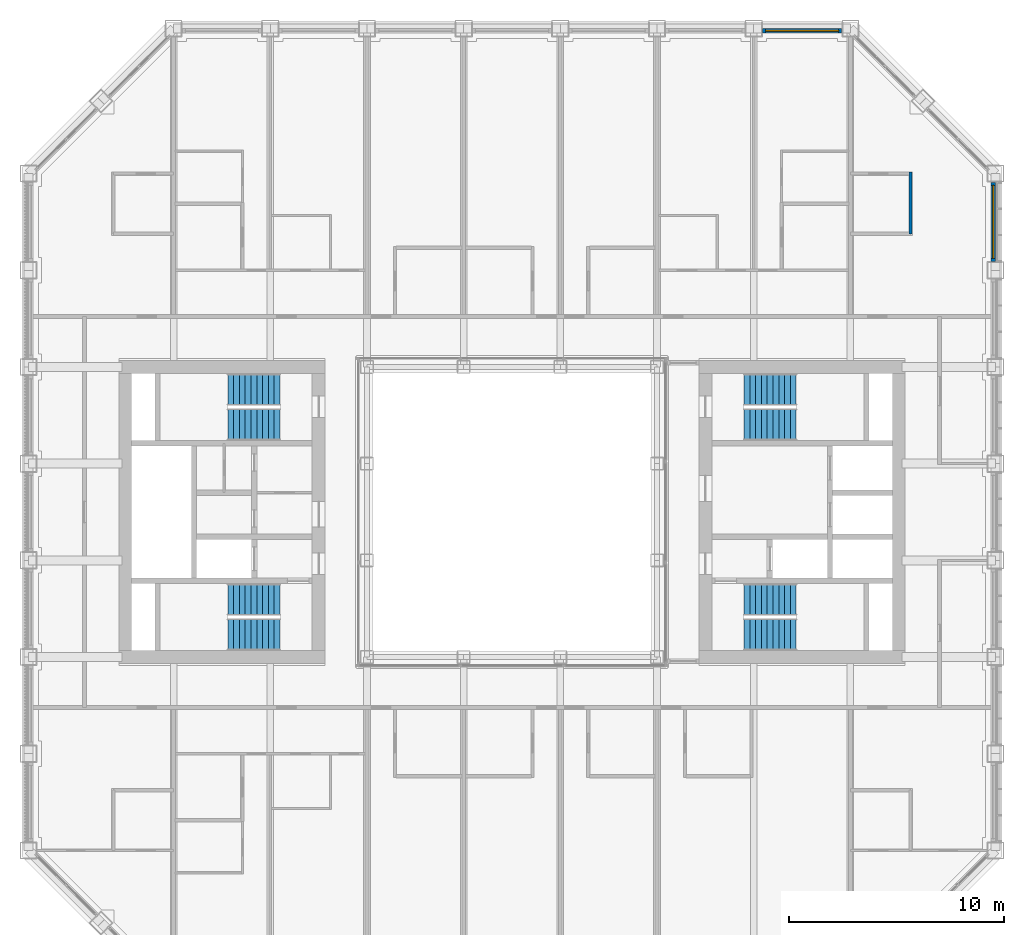
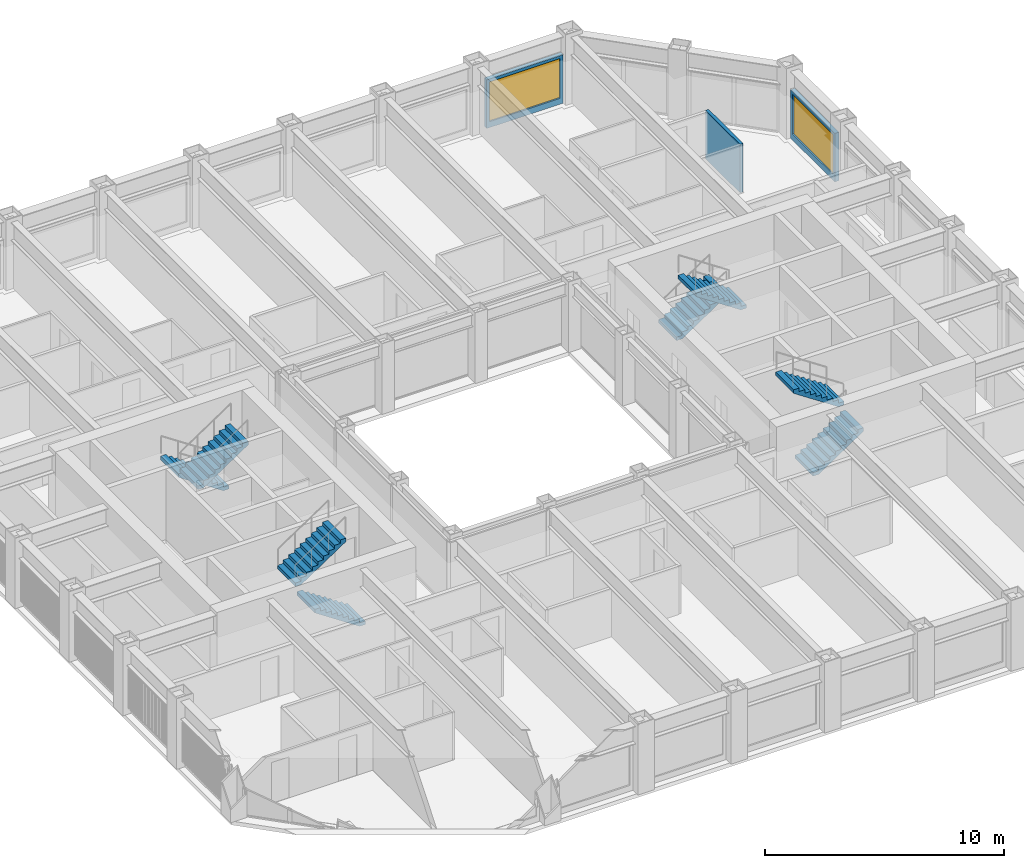
# One storey, part 15 of 18: 8 stair flights, 3 walls, 2 windows, 2 openings, 4 elements without a shape of their own.
"""IFC4 building model written with IfcOpenShell, lengths in metres."""

from ifc_helpers import new_model, si_unit, direction, frame, frame_2d, origin, place, context, subcontext, project, spatial, polyline, rectangle, outline, extrude, material, layer, layer_set, type_object, element, fill, aggregate, save


model = new_model("IFC4")

# Units and contexts
model_context = context("Model", 3, precision=1e-05, world=origin(), true_north=direction((0.0, 1.0)))
body_context = subcontext(model_context, "Body", "Model", "MODEL_VIEW")
ifc_project = project(units=[si_unit("LENGTHUNIT", "METRE"), si_unit("AREAUNIT", "SQUARE_METRE"), si_unit("VOLUMEUNIT", "CUBIC_METRE"), si_unit("PLANEANGLEUNIT", "RADIAN"), si_unit("MASSUNIT", "GRAM", prefix="KILO")], contexts=[model_context])

# Site, building, storey
site_placement = place(None, origin())
site = spatial("IfcSite", under=ifc_project, at=site_placement, CompositionType="ELEMENT")
building_placement = place(site_placement, origin())
building = spatial("IfcBuilding", under=site, at=building_placement, Name="Msasa Ring Tower", CompositionType="ELEMENT")
storey_placement = place(building_placement, frame((0.0, 0.0, 183.199951171875)))
storey = spatial("IfcBuildingStorey", under=building, at=storey_placement, Name="L48", CompositionType="ELEMENT", Elevation=183.199951171875)

# Wall, opening, window
ifc_material_1 = material(Name="Terracotta rainscreen on blockwork", Category="masonry")
ifc_layer_1 = layer(ifc_material_1, 0.199951171875)
ifc_layer_set_1 = layer_set([ifc_layer_1], Name="FW1 TERRACOTTA-LINED INFILL BAY WALL 200")
wall_type_1 = type_object("IfcWallType", Name="FW1 TERRACOTTA-LINED INFILL BAY WALL 200", PredefinedType="SOLIDWALL", material=ifc_layer_set_1)
wall_1_placement = place(storey_placement, frame((22.39990234375, 11.655029296875, 0.0), z_axis=(0.0, 0.0, 1.0), x_axis=(0.0, 1.0, 0.0)))
wall_1 = element("IfcWall", 1, at=wall_1_placement, inside=storey, type_object=wall_type_1, Name="Infill bay wall E L48 15", PredefinedType="SOLIDWALL", context=body_context, shape_type="SweptSolid", body=[
    extrude(rectangle(XDim=3.68994140625, YDim=0.199951171875, at=frame_2d((1.844970703125, 0.0))), origin(), (0.0, 0.0, 1.0), 2.47900390625),
])
opening_1_placement = place(wall_1_placement, frame((0.14501953125, 0.0, 0.300048828125)))
opening_1 = element("IfcOpeningElement", 2, at=opening_1_placement, cuts=wall_1, Name="Opening WN2", PredefinedType="OPENING", context=body_context, shape_type="SweptSolid", body=[
    extrude(rectangle(XDim=3.39990234375, YDim=2.029052734375, at=frame_2d((1.699951171875, 1.0146484375))), frame((0.0, 0.10986328125, 0.0), z_axis=(0.0, -1.0, 0.0), x_axis=(1.0, 0.0, 0.0)), (0.0, 0.0, 1.0), 0.219970703125),
])
ifc_material_2 = material(Name="Aluminium frame with clear glass", Category="aluminium")
window_type = type_object("IfcWindowType", Name="WN2 GUEST ROOM WINDOW 3400x2029", PartitioningType="SINGLE_PANEL", PredefinedType="WINDOW", material=ifc_material_2)
window_1_placement = place(opening_1_placement, origin())
window_1 = element("IfcWindow", 3, at=window_1_placement, inside=storey, type_object=window_type, Name="Window E L48 15", OverallHeight=2.029052734375, OverallWidth=3.39990234375, PartitioningType="SINGLE_PANEL", PredefinedType="WINDOW", context=body_context, shape_type="SweptSolid", body=[
    extrude(rectangle(XDim=3.39990234375, YDim=2.029052734375, at=frame_2d((1.699951171875, 1.0146484375))), frame((0.0, 0.030029296875, 0.0), z_axis=(0.0, -1.0, 0.0), x_axis=(1.0, 0.0, 0.0)), (0.0, 0.0, 1.0), 0.06005859375),
])
fill(opening_1, window_1)

wall_2_placement = place(storey_placement, frame((11.655029296875, 22.39990234375, 0.0), z_axis=(0.0, 0.0, 1.0), x_axis=(1.0, 0.0, 0.0)))
wall_2 = element("IfcWall", 4, at=wall_2_placement, inside=storey, type_object=wall_type_1, Name="Infill bay wall N L48 24", PredefinedType="SOLIDWALL", context=body_context, shape_type="SweptSolid", body=[
    extrude(rectangle(XDim=3.68994140625, YDim=0.199951171875, at=frame_2d((1.844970703125, 0.0))), origin(), (0.0, 0.0, 1.0), 2.47900390625),
])
opening_2_placement = place(wall_2_placement, frame((0.14501953125, 0.0, 0.300048828125)))
opening_2 = element("IfcOpeningElement", 5, at=opening_2_placement, cuts=wall_2, Name="Opening WN2", PredefinedType="OPENING", context=body_context, shape_type="SweptSolid", body=[
    extrude(rectangle(XDim=3.39990234375, YDim=2.029052734375, at=frame_2d((1.699951171875, 1.0146484375))), frame((0.0, 0.10986328125, 0.0), z_axis=(0.0, -1.0, 0.0), x_axis=(1.0, 0.0, 0.0)), (0.0, 0.0, 1.0), 0.219970703125),
])
window_2_placement = place(opening_2_placement, origin())
window_2 = element("IfcWindow", 6, at=window_2_placement, inside=storey, type_object=window_type, Name="Window N L48 24", OverallHeight=2.029052734375, OverallWidth=3.39990234375, PartitioningType="SINGLE_PANEL", PredefinedType="WINDOW", context=body_context, shape_type="SweptSolid", body=[
    extrude(rectangle(XDim=3.39990234375, YDim=2.029052734375, at=frame_2d((1.699951171875, 1.0146484375))), frame((0.0, 0.030029296875, 0.0), z_axis=(0.0, -1.0, 0.0), x_axis=(1.0, 0.0, 0.0)), (0.0, 0.0, 1.0), 0.06005859375),
])
fill(opening_2, window_2)

# Wall
ifc_material_3 = material(Name="Moisture-resistant board on steel studs with a concealed cistern and pipe void, tiled", Category="steel")
ifc_layer_2 = layer(ifc_material_3, 0.14990234375)
ifc_layer_set_2 = layer_set([ifc_layer_2], Name="PT4 BATHROOM WET WALL 150")
wall_type_2 = type_object("IfcWallType", Name="PT4 BATHROOM WET WALL 150", PredefinedType="PARTITIONING", material=ifc_layer_set_2)
wall_3_placement = place(storey_placement, frame((18.550048828125, 12.949951171875, 0.0), z_axis=(0.0, 0.0, 1.0), x_axis=(0.0, 1.0, 0.0)))
element("IfcWall", 7, at=wall_3_placement, inside=storey, type_object=wall_type_2, Name="Partition L48-CSNEBX", PredefinedType="PARTITIONING", context=body_context, shape_type="SweptSolid", body=[
    extrude(rectangle(XDim=2.875, YDim=0.14990234375, at=frame_2d((1.4375, 0.0))), origin(), (0.0, 0.0, 1.0), 2.473388671875),
])

# Stair, stair flights
ifc_material_4 = material(Name="Concrete C40/50", Category="concrete")
stair_type = type_object("IfcStairType", Name="STC CORE STAIR 20 RISERS 180", PredefinedType="HALF_TURN_STAIR", material=ifc_material_4)
stair_1_placement = place(storey_placement, origin())
stair_1 = element("IfcStair", 8, at=stair_1_placement, inside=storey, type_object=stair_type, Name="Core stair SEA L48", PredefinedType="HALF_TURN_STAIR")
ifc_material_5 = material(Name="Concrete C40/50", Category="concrete")
stair_flight_type = type_object("IfcStairFlightType", Name="ST14 CORE STAIR FLIGHT 1500 10 RISERS 180", PredefinedType="STRAIGHT", material=ifc_material_5)
stair_flight_1_placement = place(storey_placement, frame((10.800048828125, -5.699951171875, 0.0), z_axis=(0.0, 0.0, 1.0), x_axis=(1.0, 0.0, 0.0)))
stair_flight_1 = element("IfcStairFlight", 9, at=stair_flight_1_placement, type_object=stair_flight_type, Name="SEA flight 1", NumberOfRisers=10, NumberOfTreads=9, PredefinedType="STRAIGHT", RiserHeight=0.18, TreadLength=0.27, context=body_context, shape_type="SweptSolid", body=[
    extrude(outline(polyline([(0.0, 0.0), (0.0, 0.179931640625), (0.27001953125, 0.179931640625), (0.27001953125, 0.360107421875), (0.5400390625, 0.360107421875), (0.5400390625, 0.5400390625), (0.81005859375, 0.5400390625), (0.81005859375, 0.719970703125), (1.080078125, 0.719970703125), (1.080078125, 0.89990234375), (1.35009765625, 0.89990234375), (1.35009765625, 1.080078125), (1.6201171875, 1.080078125), (1.6201171875, 1.260009765625), (1.889892578125, 1.260009765625), (1.889892578125, 1.43994140625), (2.159912109375, 1.43994140625), (2.159912109375, 1.6201171875), (2.429931640625, 1.6201171875), (2.429931640625, 1.800048828125), (2.429931640625, 1.43994140625), (0.270263671875, 0.0), (0.0, 0.0)])), frame((0.0, 0.75, 0.0), z_axis=(0.0, -1.0, 0.0), x_axis=(1.0, 0.0, 0.0)), (0.0, 0.0, 1.0), 1.5),
])
stair_flight_2_placement = place(storey_placement, frame((13.22998046875, -4.074951171875, 1.800048828125), z_axis=(0.0, 0.0, 1.0), x_axis=(-1.0, 0.0, 0.0)))
stair_flight_2 = element("IfcStairFlight", 10, at=stair_flight_2_placement, type_object=stair_flight_type, Name="SEA flight 2", NumberOfRisers=10, NumberOfTreads=9, PredefinedType="STRAIGHT", RiserHeight=0.18, TreadLength=0.27, context=body_context, shape_type="SweptSolid", body=[
    extrude(outline(polyline([(0.0, 0.0), (0.0, 0.179931640625), (0.27001953125, 0.179931640625), (0.27001953125, 0.360107421875), (0.5400390625, 0.360107421875), (0.5400390625, 0.5400390625), (0.81005859375, 0.5400390625), (0.81005859375, 0.719970703125), (1.080078125, 0.719970703125), (1.080078125, 0.89990234375), (1.35009765625, 0.89990234375), (1.35009765625, 1.080078125), (1.6201171875, 1.080078125), (1.6201171875, 1.260009765625), (1.889892578125, 1.260009765625), (1.889892578125, 1.43994140625), (2.159912109375, 1.43994140625), (2.159912109375, 1.6201171875), (2.429931640625, 1.6201171875), (2.429931640625, 1.800048828125), (2.429931640625, 1.43994140625), (0.270263671875, 0.0), (0.0, 0.0)])), frame((0.0, 0.75, 0.0), z_axis=(0.0, -1.0, 0.0), x_axis=(1.0, 0.0, 0.0)), (0.0, 0.0, 1.0), 1.5),
])
aggregate(stair_1, [stair_flight_1, stair_flight_2])

stair_2_placement = place(storey_placement, origin())
stair_2 = element("IfcStair", 11, at=stair_2_placement, inside=storey, type_object=stair_type, Name="Core stair SEB L48", PredefinedType="HALF_TURN_STAIR")
stair_flight_3_placement = place(storey_placement, frame((10.800048828125, 5.699951171875, 0.0), z_axis=(0.0, 0.0, 1.0), x_axis=(1.0, 0.0, 0.0)))
stair_flight_3 = element("IfcStairFlight", 12, at=stair_flight_3_placement, type_object=stair_flight_type, Name="SEB flight 1", NumberOfRisers=10, NumberOfTreads=9, PredefinedType="STRAIGHT", RiserHeight=0.18, TreadLength=0.27, context=body_context, shape_type="SweptSolid", body=[
    extrude(outline(polyline([(0.0, 0.0), (0.0, 0.179931640625), (0.27001953125, 0.179931640625), (0.27001953125, 0.360107421875), (0.5400390625, 0.360107421875), (0.5400390625, 0.5400390625), (0.81005859375, 0.5400390625), (0.81005859375, 0.719970703125), (1.080078125, 0.719970703125), (1.080078125, 0.89990234375), (1.35009765625, 0.89990234375), (1.35009765625, 1.080078125), (1.6201171875, 1.080078125), (1.6201171875, 1.260009765625), (1.889892578125, 1.260009765625), (1.889892578125, 1.43994140625), (2.159912109375, 1.43994140625), (2.159912109375, 1.6201171875), (2.429931640625, 1.6201171875), (2.429931640625, 1.800048828125), (2.429931640625, 1.43994140625), (0.270263671875, 0.0), (0.0, 0.0)])), frame((0.0, 0.75, 0.0), z_axis=(0.0, -1.0, 0.0), x_axis=(1.0, 0.0, 0.0)), (0.0, 0.0, 1.0), 1.5),
])
stair_flight_4_placement = place(storey_placement, frame((13.22998046875, 4.074951171875, 1.800048828125), z_axis=(0.0, 0.0, 1.0), x_axis=(-1.0, 0.0, 0.0)))
stair_flight_4 = element("IfcStairFlight", 13, at=stair_flight_4_placement, type_object=stair_flight_type, Name="SEB flight 2", NumberOfRisers=10, NumberOfTreads=9, PredefinedType="STRAIGHT", RiserHeight=0.18, TreadLength=0.27, context=body_context, shape_type="SweptSolid", body=[
    extrude(outline(polyline([(0.0, 0.0), (0.0, 0.179931640625), (0.27001953125, 0.179931640625), (0.27001953125, 0.360107421875), (0.5400390625, 0.360107421875), (0.5400390625, 0.5400390625), (0.81005859375, 0.5400390625), (0.81005859375, 0.719970703125), (1.080078125, 0.719970703125), (1.080078125, 0.89990234375), (1.35009765625, 0.89990234375), (1.35009765625, 1.080078125), (1.6201171875, 1.080078125), (1.6201171875, 1.260009765625), (1.889892578125, 1.260009765625), (1.889892578125, 1.43994140625), (2.159912109375, 1.43994140625), (2.159912109375, 1.6201171875), (2.429931640625, 1.6201171875), (2.429931640625, 1.800048828125), (2.429931640625, 1.43994140625), (0.270263671875, 0.0), (0.0, 0.0)])), frame((0.0, 0.75, 0.0), z_axis=(0.0, -1.0, 0.0), x_axis=(1.0, 0.0, 0.0)), (0.0, 0.0, 1.0), 1.5),
])
aggregate(stair_2, [stair_flight_3, stair_flight_4])

stair_3_placement = place(storey_placement, origin())
stair_3 = element("IfcStair", 14, at=stair_3_placement, inside=storey, type_object=stair_type, Name="Core stair SWA L48", PredefinedType="HALF_TURN_STAIR")
stair_flight_5_placement = place(storey_placement, frame((-10.800048828125, -5.699951171875, 0.0), z_axis=(0.0, 0.0, 1.0), x_axis=(-1.0, 0.0, 0.0)))
stair_flight_5 = element("IfcStairFlight", 15, at=stair_flight_5_placement, type_object=stair_flight_type, Name="SWA flight 1", NumberOfRisers=10, NumberOfTreads=9, PredefinedType="STRAIGHT", RiserHeight=0.18, TreadLength=0.27, context=body_context, shape_type="SweptSolid", body=[
    extrude(outline(polyline([(0.0, 0.0), (0.0, 0.179931640625), (0.27001953125, 0.179931640625), (0.27001953125, 0.360107421875), (0.5400390625, 0.360107421875), (0.5400390625, 0.5400390625), (0.81005859375, 0.5400390625), (0.81005859375, 0.719970703125), (1.080078125, 0.719970703125), (1.080078125, 0.89990234375), (1.35009765625, 0.89990234375), (1.35009765625, 1.080078125), (1.6201171875, 1.080078125), (1.6201171875, 1.260009765625), (1.889892578125, 1.260009765625), (1.889892578125, 1.43994140625), (2.159912109375, 1.43994140625), (2.159912109375, 1.6201171875), (2.429931640625, 1.6201171875), (2.429931640625, 1.800048828125), (2.429931640625, 1.43994140625), (0.270263671875, 0.0), (0.0, 0.0)])), frame((0.0, 0.75, 0.0), z_axis=(0.0, -1.0, 0.0), x_axis=(1.0, 0.0, 0.0)), (0.0, 0.0, 1.0), 1.5),
])
stair_flight_6_placement = place(storey_placement, frame((-13.22998046875, -4.074951171875, 1.800048828125), z_axis=(0.0, 0.0, 1.0), x_axis=(1.0, 0.0, 0.0)))
stair_flight_6 = element("IfcStairFlight", 16, at=stair_flight_6_placement, type_object=stair_flight_type, Name="SWA flight 2", NumberOfRisers=10, NumberOfTreads=9, PredefinedType="STRAIGHT", RiserHeight=0.18, TreadLength=0.27, context=body_context, shape_type="SweptSolid", body=[
    extrude(outline(polyline([(0.0, 0.0), (0.0, 0.179931640625), (0.27001953125, 0.179931640625), (0.27001953125, 0.360107421875), (0.5400390625, 0.360107421875), (0.5400390625, 0.5400390625), (0.81005859375, 0.5400390625), (0.81005859375, 0.719970703125), (1.080078125, 0.719970703125), (1.080078125, 0.89990234375), (1.35009765625, 0.89990234375), (1.35009765625, 1.080078125), (1.6201171875, 1.080078125), (1.6201171875, 1.260009765625), (1.889892578125, 1.260009765625), (1.889892578125, 1.43994140625), (2.159912109375, 1.43994140625), (2.159912109375, 1.6201171875), (2.429931640625, 1.6201171875), (2.429931640625, 1.800048828125), (2.429931640625, 1.43994140625), (0.270263671875, 0.0), (0.0, 0.0)])), frame((0.0, 0.75, 0.0), z_axis=(0.0, -1.0, 0.0), x_axis=(1.0, 0.0, 0.0)), (0.0, 0.0, 1.0), 1.5),
])
aggregate(stair_3, [stair_flight_5, stair_flight_6])

stair_4_placement = place(storey_placement, origin())
stair_4 = element("IfcStair", 17, at=stair_4_placement, inside=storey, type_object=stair_type, Name="Core stair SWB L48", PredefinedType="HALF_TURN_STAIR")
stair_flight_7_placement = place(storey_placement, frame((-10.800048828125, 5.699951171875, 0.0), z_axis=(0.0, 0.0, 1.0), x_axis=(-1.0, 0.0, 0.0)))
stair_flight_7 = element("IfcStairFlight", 18, at=stair_flight_7_placement, type_object=stair_flight_type, Name="SWB flight 1", NumberOfRisers=10, NumberOfTreads=9, PredefinedType="STRAIGHT", RiserHeight=0.18, TreadLength=0.27, context=body_context, shape_type="SweptSolid", body=[
    extrude(outline(polyline([(0.0, 0.0), (0.0, 0.179931640625), (0.27001953125, 0.179931640625), (0.27001953125, 0.360107421875), (0.5400390625, 0.360107421875), (0.5400390625, 0.5400390625), (0.81005859375, 0.5400390625), (0.81005859375, 0.719970703125), (1.080078125, 0.719970703125), (1.080078125, 0.89990234375), (1.35009765625, 0.89990234375), (1.35009765625, 1.080078125), (1.6201171875, 1.080078125), (1.6201171875, 1.260009765625), (1.889892578125, 1.260009765625), (1.889892578125, 1.43994140625), (2.159912109375, 1.43994140625), (2.159912109375, 1.6201171875), (2.429931640625, 1.6201171875), (2.429931640625, 1.800048828125), (2.429931640625, 1.43994140625), (0.270263671875, 0.0), (0.0, 0.0)])), frame((0.0, 0.75, 0.0), z_axis=(0.0, -1.0, 0.0), x_axis=(1.0, 0.0, 0.0)), (0.0, 0.0, 1.0), 1.5),
])
stair_flight_8_placement = place(storey_placement, frame((-13.22998046875, 4.074951171875, 1.800048828125), z_axis=(0.0, 0.0, 1.0), x_axis=(1.0, 0.0, 0.0)))
stair_flight_8 = element("IfcStairFlight", 19, at=stair_flight_8_placement, type_object=stair_flight_type, Name="SWB flight 2", NumberOfRisers=10, NumberOfTreads=9, PredefinedType="STRAIGHT", RiserHeight=0.18, TreadLength=0.27, context=body_context, shape_type="SweptSolid", body=[
    extrude(outline(polyline([(0.0, 0.0), (0.0, 0.179931640625), (0.27001953125, 0.179931640625), (0.27001953125, 0.360107421875), (0.5400390625, 0.360107421875), (0.5400390625, 0.5400390625), (0.81005859375, 0.5400390625), (0.81005859375, 0.719970703125), (1.080078125, 0.719970703125), (1.080078125, 0.89990234375), (1.35009765625, 0.89990234375), (1.35009765625, 1.080078125), (1.6201171875, 1.080078125), (1.6201171875, 1.260009765625), (1.889892578125, 1.260009765625), (1.889892578125, 1.43994140625), (2.159912109375, 1.43994140625), (2.159912109375, 1.6201171875), (2.429931640625, 1.6201171875), (2.429931640625, 1.800048828125), (2.429931640625, 1.43994140625), (0.270263671875, 0.0), (0.0, 0.0)])), frame((0.0, 0.75, 0.0), z_axis=(0.0, -1.0, 0.0), x_axis=(1.0, 0.0, 0.0)), (0.0, 0.0, 1.0), 1.5),
])
aggregate(stair_4, [stair_flight_7, stair_flight_8])

save(model, "model.ifc")
